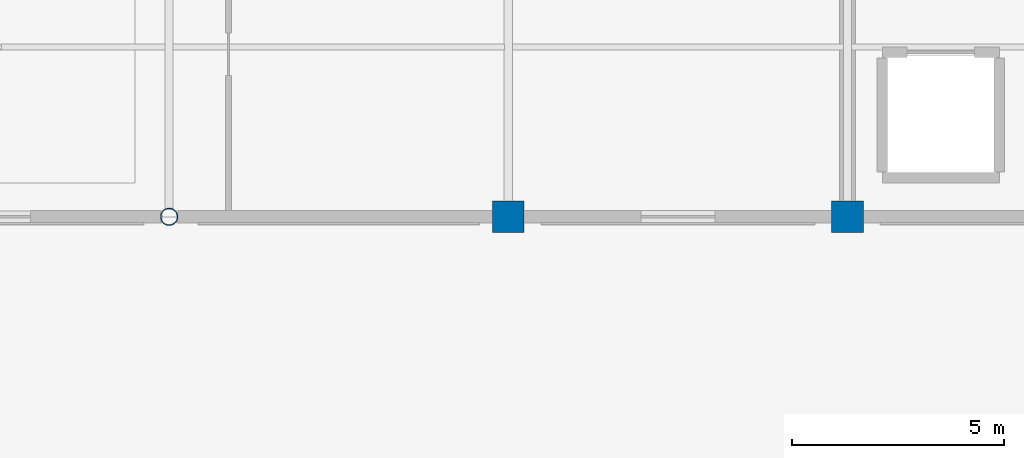
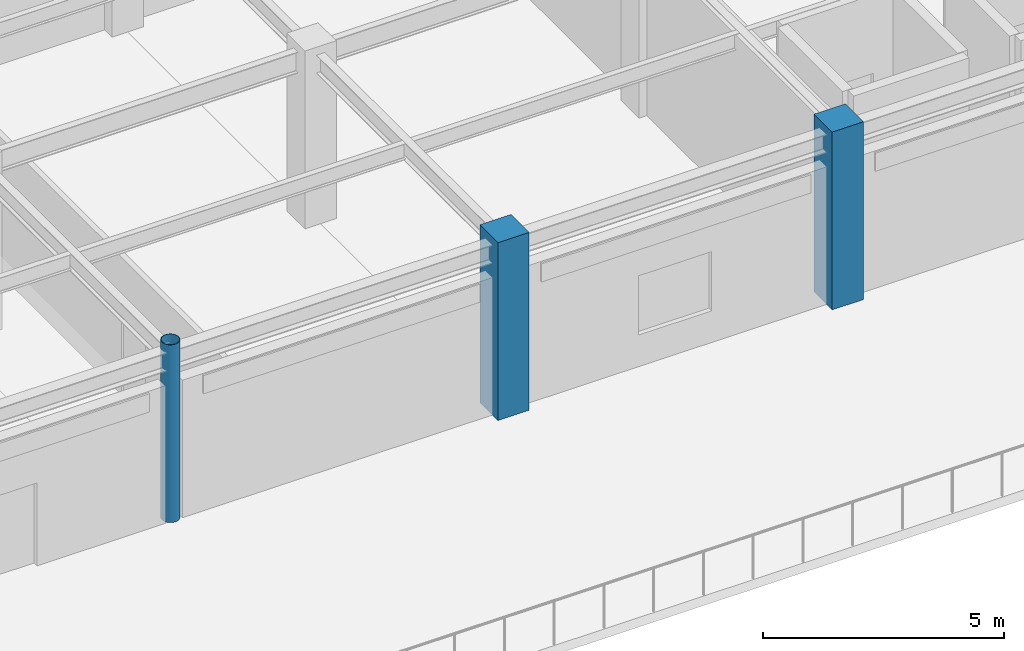
# One storey, part 12 of 75: 3 columns.
"""IFC4 building model written with IfcOpenShell, lengths in metres."""

from ifc_helpers import new_model, si_unit, direction, frame, origin, origin_2d, place, context, subcontext, project, spatial, rectangle, hollow_circle, extrude, material, material_profile, profile_set, type_object, element, save


model = new_model("IFC4")

# Units and contexts
model_context = context("Model", 3, precision=1e-05, world=origin(), true_north=direction((0.0, 1.0)))
body_context = subcontext(model_context, "Body", "Model", "MODEL_VIEW")
ifc_project = project(units=[si_unit("LENGTHUNIT", "METRE"), si_unit("AREAUNIT", "SQUARE_METRE"), si_unit("VOLUMEUNIT", "CUBIC_METRE"), si_unit("PLANEANGLEUNIT", "RADIAN"), si_unit("MASSUNIT", "GRAM", prefix="KILO")], contexts=[model_context])

# Site, building, storey
site_placement = place(None, origin())
site = spatial("IfcSite", under=ifc_project, at=site_placement, CompositionType="ELEMENT")
building_placement = place(site_placement, origin())
building = spatial("IfcBuilding", under=site, at=building_placement, Name="Solmirada Galleria", CompositionType="ELEMENT")
storey_placement = place(building_placement, frame((0.0, 0.0, 19.39990234375)))
storey = spatial("IfcBuildingStorey", under=building, at=storey_placement, Name="L04", CompositionType="ELEMENT", Elevation=19.39990234375)

# Columns
ifc_material_1 = material(Name="Steel S355 / ASTM A500 Grade C", Category="steel")
ifc_material_profile_1 = material_profile(ifc_material_1, hollow_circle(Radius=0.202880859375, WallThickness=0.01171875, at=origin_2d()), Name="HSS16.000X0.500")
ifc_profile_set_1 = profile_set([ifc_material_profile_1], Name="Steel S355 / ASTM A500 Grade C")
column_type_1 = type_object("IfcColumnType", Name="COL-CHS16", PredefinedType="COLUMN", material=ifc_profile_set_1)
column_placement = place(storey_placement, frame((144.0, 88.0, 0.0), z_axis=(0.0, 0.0, 1.0), x_axis=(1.0, 0.0, 0.0)))
element("IfcColumn", 1, at=column_placement, inside=storey, type_object=column_type_1, Name="Structural column L04-1251", PredefinedType="COLUMN", context=body_context, shape_type="SweptSolid", body=[
    extrude(hollow_circle(Radius=0.202880859375, WallThickness=0.01171875, at=origin_2d()), origin(), (0.0, 0.0, 1.0), 4.5),
])
ifc_material_2 = material(Name="Concrete C40/50", Category="concrete")
ifc_material_profile_2 = material_profile(ifc_material_2, rectangle(XDim=0.75, YDim=0.75, at=origin_2d()), Name="RC750X750")
ifc_profile_set_2 = profile_set([ifc_material_profile_2], Name="Concrete C40/50")
column_type_2 = type_object("IfcColumnType", Name="COL-RC750", PredefinedType="COLUMN", material=ifc_profile_set_2)
for number, where, z_axis, x_axis, name in (
    (2, (152.0, 88.0, 0.0), (0.0, 0.0, 1.0), (1.0, 0.0, 0.0), "Structural column L04-1324"),
    (3, (160.0, 88.0, 0.0), (0.0, 0.0, 1.0), (1.0, 0.0, 0.0), "Structural column L04-1397"),
):
    element("IfcColumn", number, at=place(storey_placement, frame(where, z_axis=z_axis, x_axis=x_axis)), inside=storey, type_object=column_type_2, Name=name, PredefinedType="COLUMN", context=body_context, shape_type="SweptSolid", body=[
        extrude(rectangle(XDim=0.75, YDim=0.75, at=origin_2d()), origin(), (0.0, 0.0, 1.0), 4.5),
    ])

save(model, "model.ifc")
